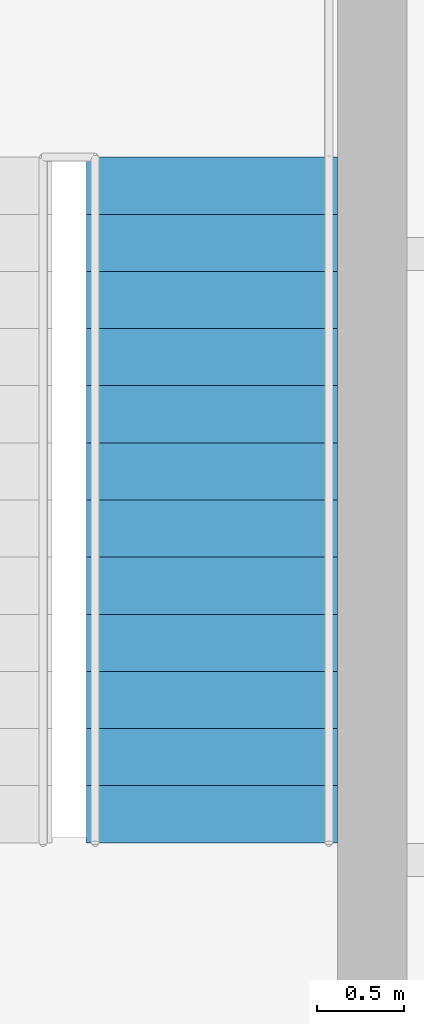
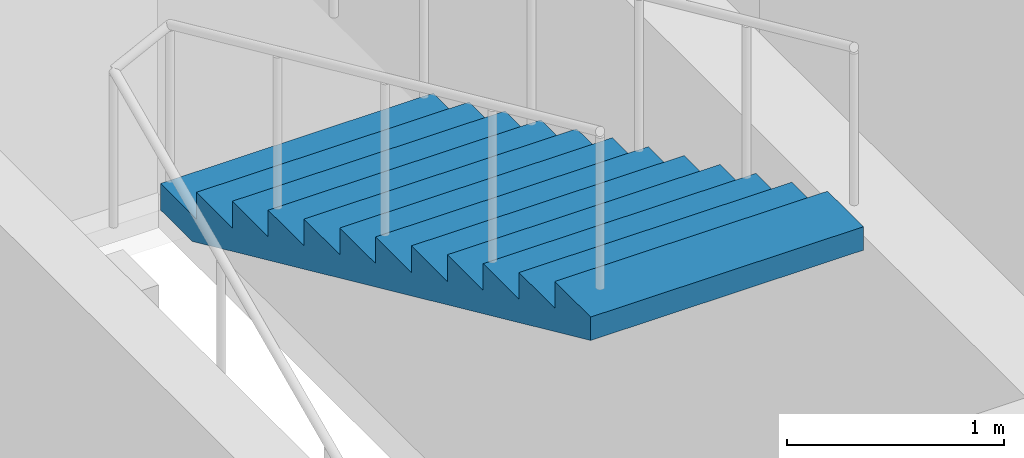
# One storey, part 9 of 10: 1 stair flight, 1 element without a shape of its own.
"""IFC4 building model written with IfcOpenShell, lengths in metres."""

from ifc_helpers import new_model, si_unit, direction, frame, origin, place, context, subcontext, project, spatial, polygons, material, type_object, element, aggregate, save


model = new_model("IFC4")

# Units and contexts
model_context = context("Model", 3, precision=1e-05, world=origin(), true_north=direction((0.0, 1.0)))
body_context = subcontext(model_context, "Body", "Model", "MODEL_VIEW")
ifc_project = project(units=[si_unit("LENGTHUNIT", "METRE"), si_unit("AREAUNIT", "SQUARE_METRE"), si_unit("VOLUMEUNIT", "CUBIC_METRE"), si_unit("PLANEANGLEUNIT", "RADIAN"), si_unit("MASSUNIT", "GRAM", prefix="KILO")], contexts=[model_context])

# Site, building, storey
site_placement = place(None, origin())
site = spatial("IfcSite", under=ifc_project, at=site_placement, CompositionType="ELEMENT")
building_placement = place(site_placement, origin())
building = spatial("IfcBuilding", under=site, at=building_placement, Name="Njiva Tower", CompositionType="ELEMENT")
storey_placement = place(building_placement, frame((0.0, 0.0, 261.0)))
storey = spatial("IfcBuildingStorey", under=building, at=storey_placement, Name="L59", CompositionType="ELEMENT", Elevation=261.0)

# Stair, stair flight
ifc_material = material(Name="Concrete C40/50", Category="concrete")
stair_type = type_object("IfcStairType", Name="ST3 Exit stair 1450", PredefinedType="HALF_TURN_STAIR", material=ifc_material)
stair_placement = place(storey_placement, origin())
stair = element("IfcStair", 1, at=stair_placement, inside=storey, type_object=stair_type, Name="Stair B", PredefinedType="HALF_TURN_STAIR")
stair_flight_type = type_object("IfcStairFlightType", Name="FL3 Stair flight 1450", PredefinedType="STRAIGHT", material=ifc_material)
stair_flight_placement = place(storey_placement, frame((13.375, 15.06, 1.95), z_axis=(0.0, 0.0, 1.0), x_axis=(0.0, -1.0, 0.0)))
stair_flight = element("IfcStairFlight", 2, at=stair_flight_placement, type_object=stair_flight_type, Name="ST-B flight 2", NumberOfRisers=13, NumberOfTreads=12, PredefinedType="STRAIGHT", RiserHeight=0.15, TreadLength=0.33, context=body_context, shape_type="Tessellation", body=[
    polygons([(0.0, 0.725, 0.0), (0.0, 0.3625, 0.0), (0.0, 0.0, 0.0), (0.0, -0.3625, 0.0), (0.0, -0.725, 0.0), (0.0, 0.725, 0.15), (0.0, 0.3625, 0.15), (0.0, 0.0, 0.15), (0.0, -0.3625, 0.15), (0.0, -0.725, 0.15), (0.33, 0.725, 0.15), (0.33, 0.3625, 0.15), (0.33, 0.0, 0.15), (0.33, -0.3625, 0.15), (0.33, -0.725, 0.15), (0.33, 0.725, 0.3), (0.33, 0.3625, 0.3), (0.33, 0.0, 0.3), (0.33, -0.3625, 0.3), (0.33, -0.725, 0.3), (0.66, 0.725, 0.3), (0.66, 0.3625, 0.3), (0.66, 0.0, 0.3), (0.66, -0.3625, 0.3), (0.66, -0.725, 0.3), (0.66, 0.725, 0.45), (0.66, 0.3625, 0.45), (0.66, 0.0, 0.45), (0.66, -0.3625, 0.45), (0.66, -0.725, 0.45), (0.99, 0.725, 0.45), (0.99, 0.3625, 0.45), (0.99, 0.0, 0.45), (0.99, -0.3625, 0.45), (0.99, -0.725, 0.45), (0.99, 0.725, 0.6), (0.99, 0.3625, 0.6), (0.99, 0.0, 0.6), (0.99, -0.3625, 0.6), (0.99, -0.725, 0.6), (1.32, 0.725, 0.6), (1.32, 0.3625, 0.6), (1.32, 0.0, 0.6), (1.32, -0.3625, 0.6), (1.32, -0.725, 0.6), (1.32, 0.725, 0.75), (1.32, 0.3625, 0.75), (1.32, 0.0, 0.75), (1.32, -0.3625, 0.75), (1.32, -0.725, 0.75), (1.65, 0.725, 0.75), (1.65, 0.3625, 0.75), (1.65, 0.0, 0.75), (1.65, -0.3625, 0.75), (1.65, -0.725, 0.75), (1.65, 0.725, 0.9), (1.65, 0.3625, 0.9), (1.65, 0.0, 0.9), (1.65, -0.3625, 0.9), (1.65, -0.725, 0.9), (1.98, 0.725, 0.9), (1.98, 0.3625, 0.9), (1.98, 0.0, 0.9), (1.98, -0.3625, 0.9), (1.98, -0.725, 0.9), (1.98, 0.725, 1.05), (1.98, 0.3625, 1.05), (1.98, 0.0, 1.05), (1.98, -0.3625, 1.05), (1.98, -0.725, 1.05), (2.31, 0.725, 1.05), (2.31, 0.3625, 1.05), (2.31, 0.0, 1.05), (2.31, -0.3625, 1.05), (2.31, -0.725, 1.05), (2.31, 0.725, 1.2), (2.31, 0.3625, 1.2), (2.31, 0.0, 1.2), (2.31, -0.3625, 1.2), (2.31, -0.725, 1.2), (2.64, 0.725, 1.2), (2.64, 0.3625, 1.2), (2.64, 0.0, 1.2), (2.64, -0.3625, 1.2), (2.64, -0.725, 1.2), (2.64, 0.725, 1.35), (2.64, 0.3625, 1.35), (2.64, 0.0, 1.35), (2.64, -0.3625, 1.35), (2.64, -0.725, 1.35), (2.97, 0.725, 1.35), (2.97, 0.3625, 1.35), (2.97, 0.0, 1.35), (2.97, -0.3625, 1.35), (2.97, -0.725, 1.35), (2.97, 0.725, 1.5), (2.97, 0.3625, 1.5), (2.97, 0.0, 1.5), (2.97, -0.3625, 1.5), (2.97, -0.725, 1.5), (3.3, 0.725, 1.5), (3.3, 0.3625, 1.5), (3.3, 0.0, 1.5), (3.3, -0.3625, 1.5), (3.3, -0.725, 1.5), (3.3, 0.725, 1.65), (3.3, 0.3625, 1.65), (3.3, 0.0, 1.65), (3.3, -0.3625, 1.65), (3.3, -0.725, 1.65), (3.63, 0.725, 1.65), (3.63, 0.3625, 1.65), (3.63, 0.0, 1.65), (3.63, -0.3625, 1.65), (3.63, -0.725, 1.65), (3.63, 0.725, 1.8), (3.63, 0.3625, 1.8), (3.63, 0.0, 1.8), (3.63, -0.3625, 1.8), (3.63, -0.725, 1.8), (3.96, 0.725, 1.8), (3.96, 0.3625, 1.8), (3.96, 0.0, 1.8), (3.96, -0.3625, 1.8), (3.96, -0.725, 1.8), (3.96, 0.725, 1.6682), (3.96, 0.3625, 1.6682), (3.96, 0.0, 1.6682), (3.96, -0.3625, 1.6682), (3.96, -0.725, 1.6682), (0.29, 0.725, 0.0), (0.29, 0.3625, 0.0), (0.29, 0.0, 0.0), (0.29, -0.3625, 0.0), (0.29, -0.725, 0.0)], [[[1, 6, 11, 16, 21, 26, 31, 36, 41, 46, 51, 56, 61, 66, 71, 76, 81, 86, 91, 96, 101, 106, 111, 116, 121, 126, 131]], [[135, 130, 125, 120, 115, 110, 105, 100, 95, 90, 85, 80, 75, 70, 65, 60, 55, 50, 45, 40, 35, 30, 25, 20, 15, 10, 5]], [[6, 1, 2, 7]], [[7, 2, 3, 8]], [[8, 3, 4, 9]], [[9, 4, 5, 10]], [[11, 6, 7, 12]], [[12, 7, 8, 13]], [[13, 8, 9, 14]], [[14, 9, 10, 15]], [[16, 11, 12, 17]], [[17, 12, 13, 18]], [[18, 13, 14, 19]], [[19, 14, 15, 20]], [[21, 16, 17, 22]], [[22, 17, 18, 23]], [[23, 18, 19, 24]], [[24, 19, 20, 25]], [[26, 21, 22, 27]], [[27, 22, 23, 28]], [[28, 23, 24, 29]], [[29, 24, 25, 30]], [[31, 26, 27, 32]], [[32, 27, 28, 33]], [[33, 28, 29, 34]], [[34, 29, 30, 35]], [[36, 31, 32, 37]], [[37, 32, 33, 38]], [[38, 33, 34, 39]], [[39, 34, 35, 40]], [[41, 36, 37, 42]], [[42, 37, 38, 43]], [[43, 38, 39, 44]], [[44, 39, 40, 45]], [[46, 41, 42, 47]], [[47, 42, 43, 48]], [[48, 43, 44, 49]], [[49, 44, 45, 50]], [[51, 46, 47, 52]], [[52, 47, 48, 53]], [[53, 48, 49, 54]], [[54, 49, 50, 55]], [[56, 51, 52, 57]], [[57, 52, 53, 58]], [[58, 53, 54, 59]], [[59, 54, 55, 60]], [[61, 56, 57, 62]], [[62, 57, 58, 63]], [[63, 58, 59, 64]], [[64, 59, 60, 65]], [[66, 61, 62, 67]], [[67, 62, 63, 68]], [[68, 63, 64, 69]], [[69, 64, 65, 70]], [[71, 66, 67, 72]], [[72, 67, 68, 73]], [[73, 68, 69, 74]], [[74, 69, 70, 75]], [[76, 71, 72, 77]], [[77, 72, 73, 78]], [[78, 73, 74, 79]], [[79, 74, 75, 80]], [[81, 76, 77, 82]], [[82, 77, 78, 83]], [[83, 78, 79, 84]], [[84, 79, 80, 85]], [[86, 81, 82, 87]], [[87, 82, 83, 88]], [[88, 83, 84, 89]], [[89, 84, 85, 90]], [[91, 86, 87, 92]], [[92, 87, 88, 93]], [[93, 88, 89, 94]], [[94, 89, 90, 95]], [[96, 91, 92, 97]], [[97, 92, 93, 98]], [[98, 93, 94, 99]], [[99, 94, 95, 100]], [[101, 96, 97, 102]], [[102, 97, 98, 103]], [[103, 98, 99, 104]], [[104, 99, 100, 105]], [[106, 101, 102, 107]], [[107, 102, 103, 108]], [[108, 103, 104, 109]], [[109, 104, 105, 110]], [[111, 106, 107, 112]], [[112, 107, 108, 113]], [[113, 108, 109, 114]], [[114, 109, 110, 115]], [[116, 111, 112, 117]], [[117, 112, 113, 118]], [[118, 113, 114, 119]], [[119, 114, 115, 120]], [[121, 116, 117, 122]], [[122, 117, 118, 123]], [[123, 118, 119, 124]], [[124, 119, 120, 125]], [[126, 121, 122, 127]], [[127, 122, 123, 128]], [[128, 123, 124, 129]], [[129, 124, 125, 130]], [[131, 126, 127, 132]], [[132, 127, 128, 133]], [[133, 128, 129, 134]], [[134, 129, 130, 135]], [[1, 131, 132, 2]], [[2, 132, 133, 3]], [[3, 133, 134, 4]], [[4, 134, 135, 5]]], closed=True),
])
aggregate(stair, [stair_flight])

save(model, "model.ifc")
